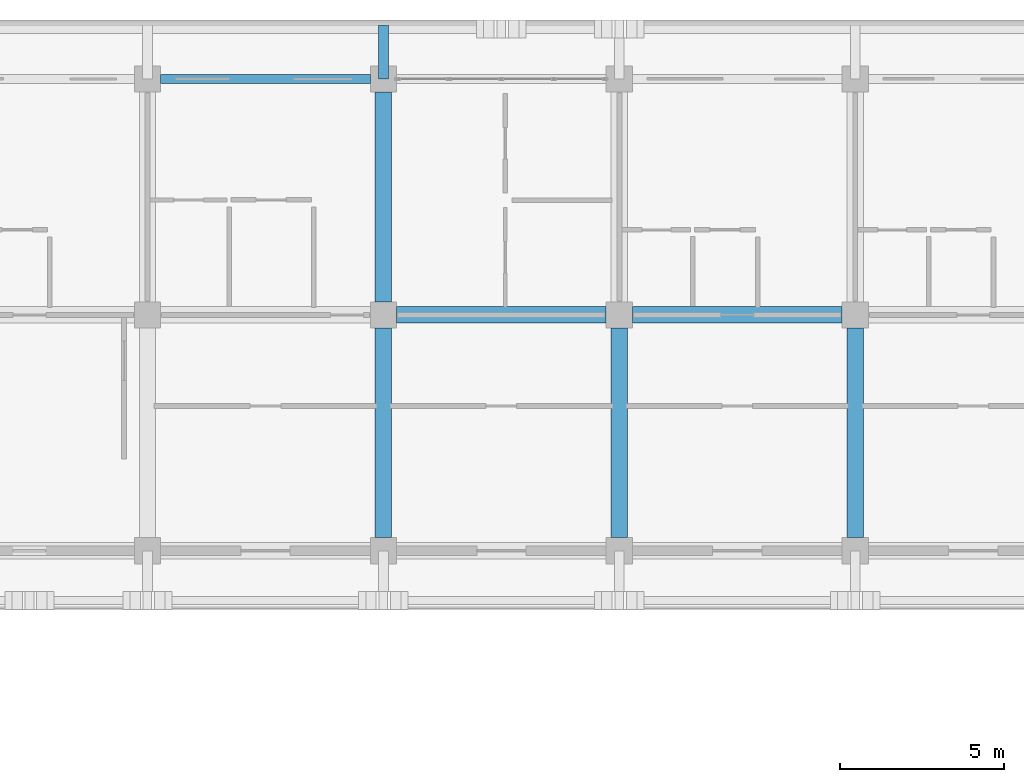
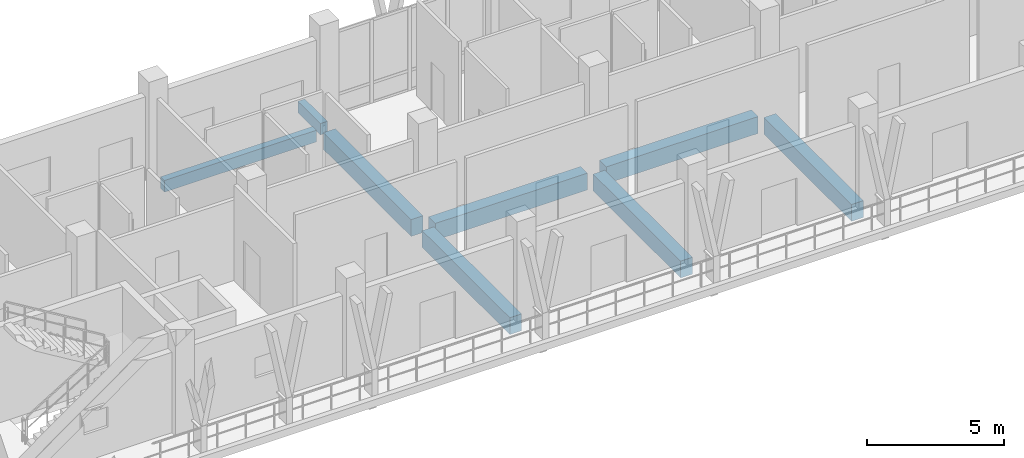
# One storey, part 42 of 110: 8 beams.
"""IFC4 building model written with IfcOpenShell, lengths in metres."""

import ifcopenshell
import ifcopenshell.guid

model = None  # the IFC model being written
_history = None  # IfcOwnerHistory: only IFC2X3 demands one
_inside = {}  # id of a spatial element -> (the spatial element, [elements in it])
_under = {}  # id of a project, library or spatial element -> (it, [spatial elements below it])
_declared = {}  # id of a project -> (the project, [libraries it declares])
_typed = {}  # id of a type object -> (the type object, [elements of that type])
_made_of = {}  # id of a material, layer set ... -> (it, [elements and type objects made of it])


def new_model(schema):
    """Start an empty IFC model of exactly this schema.

    Asked for "IFC4X3", IfcOpenShell would pick the latest addendum, in which some entities
    have other attributes; the version numbers below select the first issue.
    IFC2X3 requires an IfcOwnerHistory on every rooted entity: one is made here for all.
    """
    global model, _history
    if schema == "IFC4X3":
        model = ifcopenshell.file(schema_version=(4, 3, 0, 0))
    else:
        model = ifcopenshell.file(schema=schema)
    _inside.clear()
    _under.clear()
    _declared.clear()
    _typed.clear()
    _made_of.clear()
    _history = None
    if model.schema == "IFC2X3":
        org = make("IfcOrganization", Name="unknown")
        user = make(
            "IfcPersonAndOrganization",
            ThePerson=make("IfcPerson", FamilyName="unknown"),
            TheOrganization=org,
        )
        app = make(
            "IfcApplication",
            ApplicationDeveloper=org,
            Version="unknown",
            ApplicationFullName="unknown",
            ApplicationIdentifier="unknown",
        )
        _history = make(
            "IfcOwnerHistory",
            OwningUser=user,
            OwningApplication=app,
            ChangeAction="ADDED",
            CreationDate=0,
        )
    return model


def make(cls, **values):
    """One entity of the class cls with the attributes given. An attribute that is None is left unset."""
    return model.create_entity(
        cls, **{name: value for name, value in values.items() if value is not None}
    )


def rooted(cls, **values):
    """An entity with a GlobalId (a new one), such as an element, a storey or a relation."""
    return make(cls, GlobalId=ifcopenshell.guid.new(), OwnerHistory=_history, **values)


def si_unit(unit_type, name, prefix=None):
    """IfcSIUnit, for example si_unit("LENGTHUNIT", "METRE", prefix="MILLI")."""
    return make("IfcSIUnit", UnitType=unit_type, Prefix=prefix, Name=name)


def assignment(units):
    """IfcUnitAssignment: the units of a project."""
    return None if units is None else make("IfcUnitAssignment", Units=units)


def point(xyz):
    """IfcCartesianPoint."""
    return None if xyz is None else make("IfcCartesianPoint", Coordinates=xyz)


def direction(xyz):
    """IfcDirection."""
    return None if xyz is None else make("IfcDirection", DirectionRatios=xyz)


def frame(location, z_axis=None, x_axis=None):
    """IfcAxis2Placement3D, a coordinate frame: its origin and axes. An axis left out is left unset."""
    return make(
        "IfcAxis2Placement3D",
        Location=point(location),
        Axis=direction(z_axis),
        RefDirection=direction(x_axis),
    )


def frame_2d(location, x_axis=None):
    """IfcAxis2Placement2D, a coordinate frame in the plane: its origin and x axis."""
    return make(
        "IfcAxis2Placement2D", Location=point(location), RefDirection=direction(x_axis)
    )


def origin():
    """The frame at (0, 0, 0) with its axes left unset."""
    return frame((0.0, 0.0, 0.0))


def origin_2d():
    """The frame at (0, 0) in the plane with its x axis left unset."""
    return frame_2d((0.0, 0.0))


def place(relative_to, where):
    """IfcLocalPlacement: puts the frame where relative to a parent placement (None: the world)."""
    return make(
        "IfcLocalPlacement", PlacementRelTo=relative_to, RelativePlacement=where
    )


def context(
    kind, dimensions, precision=None, world=None, true_north=None, identifier=None
):
    """IfcGeometricRepresentationContext, for example the 3D "Model" context."""
    return make(
        "IfcGeometricRepresentationContext",
        ContextIdentifier=identifier,
        ContextType=kind,
        CoordinateSpaceDimension=dimensions,
        Precision=precision,
        WorldCoordinateSystem=world,
        TrueNorth=true_north,
    )


def subcontext(parent, identifier, kind, view, scale=None):
    """IfcGeometricRepresentationSubContext, for example "Body" below "Model"."""
    return make(
        "IfcGeometricRepresentationSubContext",
        ContextIdentifier=identifier,
        ContextType=kind,
        ParentContext=parent,
        TargetScale=scale,
        TargetView=view,
    )


def project(units=None, contexts=None):
    """IfcProject with its units and contexts."""
    return rooted(
        "IfcProject",
        Name="project",
        RepresentationContexts=contexts,
        UnitsInContext=assignment(units),
    )


def spatial(cls, under=None, at=None, **own):
    """A site, building, storey or space (cls), placed at a placement, below another one or the project."""
    s = rooted(cls, ObjectPlacement=at, **own)
    if under is not None:
        _under.setdefault(under.id(), (under, []))[1].append(s)
    return s


def profile(cls, at=None, kind="AREA", **sizes):
    """A parametric profile (cls). Its sizes go by their IFC names, for example OverallWidth=200.0."""
    return make(cls, ProfileType=kind, Position=at, **sizes)


def rectangle(**sizes):
    """IfcRectangleProfileDef."""
    return profile("IfcRectangleProfileDef", **sizes)


def extrude(swept, where, along, depth):
    """IfcExtrudedAreaSolid: the profile swept, set in the frame where, extruded along a direction by depth."""
    return make(
        "IfcExtrudedAreaSolid",
        SweptArea=swept,
        Position=where,
        ExtrudedDirection=direction(along),
        Depth=depth,
    )


def shape(context_of_items, identifier, shape_type, items):
    """IfcShapeRepresentation: the items that make up one representation, for example the "Body"."""
    return make(
        "IfcShapeRepresentation",
        ContextOfItems=context_of_items,
        RepresentationIdentifier=identifier,
        RepresentationType=shape_type,
        Items=items,
    )


def material(Name=None, Category=None):
    """IfcMaterial."""
    return make("IfcMaterial", Name=Name, Category=Category)


def material_profile(
    of_material, cross_section, Name=None, Category=None, Priority=None
):
    """IfcMaterialProfile: a cross section and its material."""
    return make(
        "IfcMaterialProfile",
        Name=Name,
        Material=of_material,
        Profile=cross_section,
        Priority=Priority,
        Category=Category,
    )


def profile_set(profiles, Name=None, composite=None):
    """IfcMaterialProfileSet."""
    return make(
        "IfcMaterialProfileSet",
        Name=Name,
        MaterialProfiles=profiles,
        CompositeProfile=composite,
    )


def made_of(thing, what):
    """Note that an element or type object is made of a material, layer set ...; save() writes the relation."""
    if what is not None:
        _made_of.setdefault(what.id(), (what, []))[1].append(thing)
    return thing


def type_object(cls, material=None, **own):
    """A type object (cls), such as IfcWallType, which elements share."""
    return made_of(rooted(cls, **own), material)


def element(
    cls,
    number,
    at=None,
    inside=None,
    cuts=None,
    type_object=None,
    material=None,
    context=None,
    identifier="Body",
    shape_type=None,
    held_by="IfcProductDefinitionShape",
    body=None,
    shapes=None,
    **own,
):
    """One element of the class cls, such as IfcWall. Its Tag is "e" and its number.

    at: its placement. inside: the storey or other place that contains it. cuts: it is an
    opening in that element (IfcRelVoidsElement). A single representation is given by context,
    identifier, shape_type and body (its items); several are given by shapes. held_by: the class
    of the entity that holds the representations. save() writes the other relations.
    """
    e = rooted(cls, Tag="e%d" % number, ObjectPlacement=at, **own)
    if body is not None:
        shapes = [shape(context, identifier, shape_type, body)]
    if shapes is not None:
        e.Representation = make(held_by, Representations=shapes)
    if inside is not None:
        _inside.setdefault(inside.id(), (inside, []))[1].append(e)
    if cuts is not None:
        rooted(
            "IfcRelVoidsElement", RelatingBuildingElement=cuts, RelatedOpeningElement=e
        )
    if type_object is not None:
        _typed.setdefault(type_object.id(), (type_object, []))[1].append(e)
    return made_of(e, material)


def aggregate(whole, parts):
    """IfcRelAggregates: a whole, such as a stair, and the parts it consists of."""
    return rooted("IfcRelAggregates", RelatingObject=whole, RelatedObjects=parts)


def save(model, path):
    """Write the relations noted so far, then the file.

    IfcRelAggregates (storeys below a building ...), IfcRelContainedInSpatialStructure (elements
    in a storey), IfcRelDefinesByType, IfcRelAssociatesMaterial and IfcRelDeclares: one each for
    every whole, place, type object, material and project.
    """
    for whole, parts in _under.values():
        aggregate(whole, parts)
    for where, things in _inside.values():
        rooted(
            "IfcRelContainedInSpatialStructure",
            RelatedElements=things,
            RelatingStructure=where,
        )
    for kind, things in _typed.values():
        rooted("IfcRelDefinesByType", RelatedObjects=things, RelatingType=kind)
    for what, things in _made_of.values():
        rooted("IfcRelAssociatesMaterial", RelatedObjects=things, RelatingMaterial=what)
    for by, libraries in _declared.values():
        rooted("IfcRelDeclares", RelatingContext=by, RelatedDefinitions=libraries)
    model.write(path)


model = new_model("IFC4")

# Units and contexts
model_context = context("Model", 3, precision=1e-05, world=origin(), true_north=direction((0.0, 1.0)))
body_context = subcontext(model_context, "Body", "Model", "MODEL_VIEW")
ifc_project = project(units=[si_unit("LENGTHUNIT", "METRE"), si_unit("AREAUNIT", "SQUARE_METRE"), si_unit("VOLUMEUNIT", "CUBIC_METRE"), si_unit("PLANEANGLEUNIT", "RADIAN"), si_unit("MASSUNIT", "GRAM", prefix="KILO")], contexts=[model_context])

# Site, building, storey
site_placement = place(None, origin())
site = spatial("IfcSite", under=ifc_project, at=site_placement, CompositionType="ELEMENT")
building_placement = place(site_placement, origin())
building = spatial("IfcBuilding", under=site, at=building_placement, Name="Suanplinth Sawtooth Commons", CompositionType="ELEMENT")
storey_placement = place(building_placement, frame((0.0, 0.0, 4.5)))
storey = spatial("IfcBuildingStorey", under=building, at=storey_placement, Name="L01", CompositionType="ELEMENT", Elevation=4.5)

# Beams
ifc_material_1 = material(Name="Concrete C40/50", Category="concrete")
ifc_material_profile_1 = material_profile(ifc_material_1, rectangle(XDim=0.5, YDim=0.75, at=origin_2d()), Name="RC-GDR 500x750")
ifc_profile_set_1 = profile_set([ifc_material_profile_1], Name="Concrete C40/50")
beam_type_1 = type_object("IfcBeamType", Name="B-03", PredefinedType="USERDEFINED", material=ifc_profile_set_1)
for number, where, z_axis, x_axis, name in (
    (1, (79.60009765625, 115.199951171875, -0.675048828125), (1.0, 0.0, 0.0), (0.0, 1.0, 0.0), "BMX-L01-A-11-16"),
    (2, (86.800048828125, 115.199951171875, -0.675048828125), (1.0, 0.0, 0.0), (0.0, 1.0, 0.0), "BMX-L01-A-12-16"),
):
    element("IfcBeam", number, at=place(storey_placement, frame(where, z_axis=z_axis, x_axis=x_axis)), inside=storey, type_object=beam_type_1, Name=name, ObjectType="GIRDER", PredefinedType="USERDEFINED", context=body_context, shape_type="SweptSolid", body=[
        extrude(rectangle(XDim=0.5, YDim=0.75, at=origin_2d()), origin(), (0.0, 0.0, 1.0), 6.39990234375),
    ])
beam_1_placement = place(storey_placement, frame((79.199951171875, 108.39990234375, -0.675048828125), z_axis=(0.0, 1.0, 0.0), x_axis=(-1.0, 0.0, 0.0)))
element("IfcBeam", 3, at=beam_1_placement, inside=storey, type_object=beam_type_1, Name="BMY-L01-A-11-15", ObjectType="GIRDER", PredefinedType="USERDEFINED", context=body_context, shape_type="SweptSolid", body=[
    extrude(rectangle(XDim=0.5, YDim=0.75, at=origin_2d()), origin(), (0.0, 0.0, 1.0), 6.400146484375),
])
beam_2_placement = place(storey_placement, frame((79.199951171875, 115.60009765625, -0.675048828125), z_axis=(0.0, 1.0, 0.0), x_axis=(-1.0, 0.0, 0.0)))
element("IfcBeam", 4, at=beam_2_placement, inside=storey, type_object=beam_type_1, Name="BMY-L01-A-11-16", ObjectType="GIRDER", PredefinedType="USERDEFINED", context=body_context, shape_type="SweptSolid", body=[
    extrude(rectangle(XDim=0.5, YDim=0.75, at=origin_2d()), origin(), (0.0, 0.0, 1.0), 6.39990234375),
])
for number, where, z_axis, x_axis, name in (
    (5, (86.39990234375, 108.39990234375, -0.675048828125), (0.0, 1.0, 0.0), (-1.0, 0.0, 0.0), "BMY-L01-A-12-15"),
    (6, (93.60009765625, 108.39990234375, -0.675048828125), (0.0, 1.0, 0.0), (-1.0, 0.0, 0.0), "BMY-L01-A-13-15"),
):
    element("IfcBeam", number, at=place(storey_placement, frame(where, z_axis=z_axis, x_axis=x_axis)), inside=storey, type_object=beam_type_1, Name=name, ObjectType="GIRDER", PredefinedType="USERDEFINED", context=body_context, shape_type="SweptSolid", body=[
        extrude(rectangle(XDim=0.5, YDim=0.75, at=origin_2d()), origin(), (0.0, 0.0, 1.0), 6.400146484375),
    ])
ifc_material_2 = material(Name="Precast concrete C40/50", Category="concrete")
ifc_material_profile_2 = material_profile(ifc_material_2, rectangle(XDim=0.300048828125, YDim=0.5, at=origin_2d()), Name="PC-BM 300x500")
ifc_profile_set_2 = profile_set([ifc_material_profile_2], Name="Precast concrete C40/50")
beam_type_2 = type_object("IfcBeamType", Name="B-07", PredefinedType="BEAM", material=ifc_profile_set_2)
beam_3_placement = place(storey_placement, frame((79.199951171875, 122.39990234375, -0.429931640625), z_axis=(0.0, 1.0, 0.0), x_axis=(-1.0, 0.0, 0.0)))
element("IfcBeam", 7, at=beam_3_placement, inside=storey, type_object=beam_type_2, Name="Balcony Outrigger L01-A-N-11", PredefinedType="BEAM", context=body_context, shape_type="SweptSolid", body=[
    extrude(rectangle(XDim=0.300048828125, YDim=0.5, at=origin_2d()), origin(), (0.0, 0.0, 1.0), 1.64013671875),
])
ifc_material_profile_3 = material_profile(ifc_material_2, rectangle(XDim=0.280029296875, YDim=0.52001953125, at=origin_2d()), Name="PC-SP 280x520")
ifc_profile_set_3 = profile_set([ifc_material_profile_3], Name="Precast concrete C40/50")
beam_type_3 = type_object("IfcBeamType", Name="B-08", PredefinedType="SPANDREL", material=ifc_profile_set_3)
beam_4_placement = place(storey_placement, frame((72.39990234375, 122.39990234375, -0.56005859375), z_axis=(1.0, 0.0, 0.0), x_axis=(0.0, 1.0, 0.0)))
element("IfcBeam", 8, at=beam_4_placement, inside=storey, type_object=beam_type_3, Name="BMX-L01-A-10-17", PredefinedType="SPANDREL", context=body_context, shape_type="SweptSolid", body=[
    extrude(rectangle(XDim=0.280029296875, YDim=0.52001953125, at=origin_2d()), origin(), (0.0, 0.0, 1.0), 6.400146484375),
])

save(model, "model.ifc")
